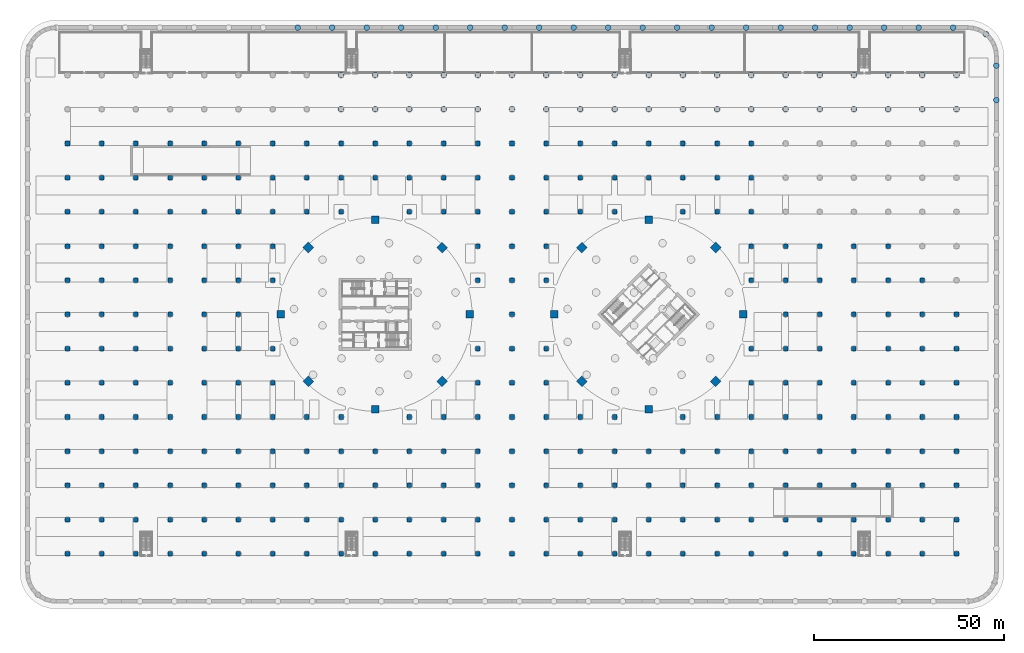
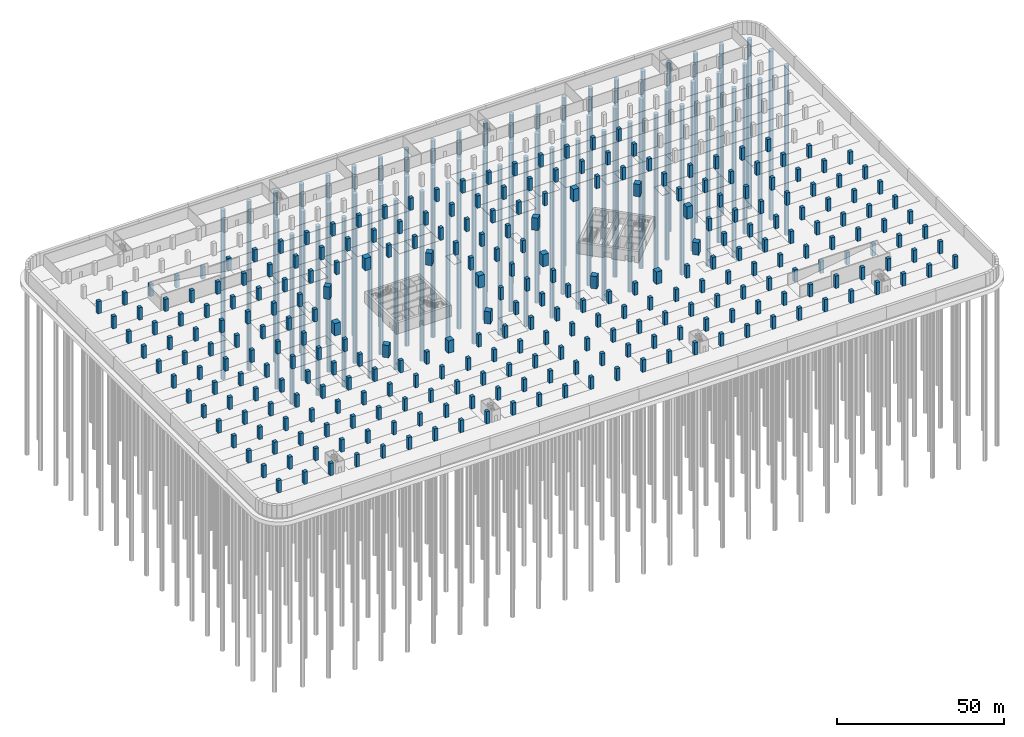
# One storey, part 5 of 39: 288 columns, 61 piles.
"""IFC4 building model written with IfcOpenShell, lengths in metres."""

from ifc_helpers import new_model, si_unit, direction, frame, origin, origin_2d, place, context, subcontext, project, spatial, rectangle, circle, extrude, material, material_profile, profile_set, type_object, element, save


model = new_model("IFC4")

# Units and contexts
model_context = context("Model", 3, precision=1e-05, world=origin(), true_north=direction((0.0, 1.0)))
body_context = subcontext(model_context, "Body", "Model", "MODEL_VIEW")
ifc_project = project(units=[si_unit("LENGTHUNIT", "METRE"), si_unit("AREAUNIT", "SQUARE_METRE"), si_unit("VOLUMEUNIT", "CUBIC_METRE"), si_unit("PLANEANGLEUNIT", "RADIAN"), si_unit("MASSUNIT", "GRAM", prefix="KILO")], contexts=[model_context])

# Site, building, storey
site_placement = place(None, origin())
site = spatial("IfcSite", under=ifc_project, at=site_placement, CompositionType="ELEMENT")
building_placement = place(site_placement, origin())
building = spatial("IfcBuilding", under=site, at=building_placement, Name="Ogive Gate Towers", CompositionType="ELEMENT")
storey_placement = place(building_placement, frame((0.0, 0.0, -9.0)))
storey = spatial("IfcBuildingStorey", under=building, at=storey_placement, Name="B2", CompositionType="ELEMENT", Elevation=-9.0)

# Piles
ifc_material_1 = material(Name="Concrete C40/50", Category="concrete")
ifc_material_profile_1 = material_profile(ifc_material_1, circle(Radius=0.75, at=origin_2d()), Name="BP 1500")
ifc_profile_set_1 = profile_set([ifc_material_profile_1], Name="Concrete C40/50")
pile_type = type_object("IfcPileType", Name="Bored pile 1500", PredefinedType="BORED", material=ifc_profile_set_1)
for number, where, z_axis, x_axis, name in (
    (1, (-45.0, 54.0, -1.800048828125), (0.0, 0.0, -1.0), (1.0, 0.0, 0.0), "BS/B2/SPL181"),
    (2, (-45.0, 63.0, -1.800048828125), (0.0, 0.0, -1.0), (1.0, 0.0, 0.0), "BS/B2/SPL182"),
    (3, (-36.0, 54.0, -1.800048828125), (0.0, 0.0, -1.0), (1.0, 0.0, 0.0), "BS/B2/SPL189"),
    (4, (-36.0, 63.0, -1.800048828125), (0.0, 0.0, -1.0), (1.0, 0.0, 0.0), "BS/B2/SPL190"),
    (5, (-27.0, 54.0, -1.800048828125), (0.0, 0.0, -1.0), (1.0, 0.0, 0.0), "BS/B2/SPL197"),
    (6, (-27.0, 63.0, -1.800048828125), (0.0, 0.0, -1.0), (1.0, 0.0, 0.0), "BS/B2/SPL198"),
    (7, (-18.0, 54.0, -1.800048828125), (0.0, 0.0, -1.0), (1.0, 0.0, 0.0), "BS/B2/SPL207"),
    (8, (-18.0, 63.0, -1.800048828125), (0.0, 0.0, -1.0), (1.0, 0.0, 0.0), "BS/B2/SPL208"),
    (9, (-9.0, 54.0, -1.800048828125), (0.0, 0.0, -1.0), (1.0, 0.0, 0.0), "BS/B2/SPL219"),
    (10, (-9.0, 63.0, -1.800048828125), (0.0, 0.0, -1.0), (1.0, 0.0, 0.0), "BS/B2/SPL220"),
    (11, (0.0, 54.0, -1.800048828125), (0.0, 0.0, -1.0), (1.0, 0.0, 0.0), "BS/B2/SPL234"),
    (12, (0.0, 63.0, -1.800048828125), (0.0, 0.0, -1.0), (1.0, 0.0, 0.0), "BS/B2/SPL235"),
    (13, (9.0, 54.0, -1.800048828125), (0.0, 0.0, -1.0), (1.0, 0.0, 0.0), "BS/B2/SPL246"),
    (14, (9.0, 63.0, -1.800048828125), (0.0, 0.0, -1.0), (1.0, 0.0, 0.0), "BS/B2/SPL247"),
    (15, (18.0, 54.0, -1.800048828125), (0.0, 0.0, -1.0), (1.0, 0.0, 0.0), "BS/B2/SPL256"),
    (16, (18.0, 63.0, -1.800048828125), (0.0, 0.0, -1.0), (1.0, 0.0, 0.0), "BS/B2/SPL257"),
    (17, (27.0, 54.0, -1.800048828125), (0.0, 0.0, -1.0), (1.0, 0.0, 0.0), "BS/B2/SPL264"),
    (18, (27.0, 63.0, -1.800048828125), (0.0, 0.0, -1.0), (1.0, 0.0, 0.0), "BS/B2/SPL265"),
    (19, (36.0, 54.0, -1.800048828125), (0.0, 0.0, -1.0), (1.0, 0.0, 0.0), "BS/B2/SPL272"),
    (20, (36.0, 63.0, -1.800048828125), (0.0, 0.0, -1.0), (1.0, 0.0, 0.0), "BS/B2/SPL273"),
    (21, (45.0, 54.0, -1.800048828125), (0.0, 0.0, -1.0), (1.0, 0.0, 0.0), "BS/B2/SPL280"),
    (22, (45.0, 63.0, -1.800048828125), (0.0, 0.0, -1.0), (1.0, 0.0, 0.0), "BS/B2/SPL281"),
    (23, (54.0, 54.0, -1.800048828125), (0.0, 0.0, -1.0), (1.0, 0.0, 0.0), "BS/B2/SPL290"),
    (24, (54.0, 63.0, -1.800048828125), (0.0, 0.0, -1.0), (1.0, 0.0, 0.0), "BS/B2/SPL291"),
    (25, (63.0, 54.0, -1.800048828125), (0.0, 0.0, -1.0), (1.0, 0.0, 0.0), "BS/B2/SPL302"),
    (26, (63.0, 63.0, -1.800048828125), (0.0, 0.0, -1.0), (1.0, 0.0, 0.0), "BS/B2/SPL303"),
    (27, (72.0, 54.0, -1.800048828125), (0.0, 0.0, -1.0), (1.0, 0.0, 0.0), "BS/B2/SPL317"),
    (28, (72.0, 63.0, -1.800048828125), (0.0, 0.0, -1.0), (1.0, 0.0, 0.0), "BS/B2/SPL318"),
    (29, (81.0, 54.0, -1.800048828125), (0.0, 0.0, -1.0), (1.0, 0.0, 0.0), "BS/B2/SPL332"),
    (30, (81.0, 63.0, -1.800048828125), (0.0, 0.0, -1.0), (1.0, 0.0, 0.0), "BS/B2/SPL333"),
    (31, (90.0, 54.0, -1.800048828125), (0.0, 0.0, -1.0), (1.0, 0.0, 0.0), "BS/B2/SPL347"),
    (32, (90.0, 63.0, -1.800048828125), (0.0, 0.0, -1.0), (1.0, 0.0, 0.0), "BS/B2/SPL348"),
    (33, (99.0, 54.0, -1.800048828125), (0.0, 0.0, -1.0), (1.0, 0.0, 0.0), "BS/B2/SPL362"),
    (34, (99.0, 63.0, -1.800048828125), (0.0, 0.0, -1.0), (1.0, 0.0, 0.0), "BS/B2/SPL363"),
    (35, (108.0, 54.0, -1.800048828125), (0.0, 0.0, -1.0), (1.0, 0.0, 0.0), "BS/B2/SPL377"),
    (36, (108.0, 63.0, -1.800048828125), (0.0, 0.0, -1.0), (1.0, 0.0, 0.0), "BS/B2/SPL378"),
    (37, (117.0, 54.0, -1.800048828125), (0.0, 0.0, -1.0), (1.0, 0.0, 0.0), "BS/B2/SPL392"),
    (38, (117.0, 63.0, -1.800048828125), (0.0, 0.0, -1.0), (1.0, 0.0, 0.0), "BS/B2/SPL393"),
    (39, (-56.416015625, 75.5, -1.800048828125), (0.0, 0.0, -1.0), (1.0, 0.0, 0.0), "BS/B2/SPL445"),
    (40, (-47.3359375, 75.5, -1.800048828125), (0.0, 0.0, -1.0), (1.0, 0.0, 0.0), "BS/B2/SPL446"),
    (41, (-38.256103515625, 75.5, -1.800048828125), (0.0, 0.0, -1.0), (1.0, 0.0, 0.0), "BS/B2/SPL447"),
    (42, (-29.176025390625, 75.5, -1.800048828125), (0.0, 0.0, -1.0), (1.0, 0.0, 0.0), "BS/B2/SPL448"),
    (43, (-20.095947265625, 75.5, -1.800048828125), (0.0, 0.0, -1.0), (1.0, 0.0, 0.0), "BS/B2/SPL449"),
    (44, (-11.01611328125, 75.5, -1.800048828125), (0.0, 0.0, -1.0), (1.0, 0.0, 0.0), "BS/B2/SPL450"),
    (45, (-1.93603515625, 75.5, -1.800048828125), (0.0, 0.0, -1.0), (1.0, 0.0, 0.0), "BS/B2/SPL451"),
    (46, (7.14404296875, 75.5, -1.800048828125), (0.0, 0.0, -1.0), (1.0, 0.0, 0.0), "BS/B2/SPL452"),
    (47, (16.22412109375, 75.5, -1.800048828125), (0.0, 0.0, -1.0), (1.0, 0.0, 0.0), "BS/B2/SPL453"),
    (48, (25.302978515625, 75.5, -1.800048828125), (0.0, 0.0, -1.0), (1.0, 0.0, 0.0), "BS/B2/SPL454"),
    (49, (34.383056640625, 75.5, -1.800048828125), (0.0, 0.0, -1.0), (1.0, 0.0, 0.0), "BS/B2/SPL455"),
    (50, (43.462890625, 75.5, -1.800048828125), (0.0, 0.0, -1.0), (1.0, 0.0, 0.0), "BS/B2/SPL456"),
    (51, (52.54296875, 75.5, -1.800048828125), (0.0, 0.0, -1.0), (1.0, 0.0, 0.0), "BS/B2/SPL457"),
    (52, (61.623046875, 75.5, -1.800048828125), (0.0, 0.0, -1.0), (1.0, 0.0, 0.0), "BS/B2/SPL458"),
    (53, (70.702880859375, 75.5, -1.800048828125), (0.0, 0.0, -1.0), (1.0, 0.0, 0.0), "BS/B2/SPL459"),
    (54, (79.782958984375, 75.5, -1.800048828125), (0.0, 0.0, -1.0), (1.0, 0.0, 0.0), "BS/B2/SPL460"),
    (55, (88.863037109375, 75.5, -1.800048828125), (0.0, 0.0, -1.0), (1.0, 0.0, 0.0), "BS/B2/SPL461"),
    (56, (97.943115234375, 75.5, -1.800048828125), (0.0, 0.0, -1.0), (1.0, 0.0, 0.0), "BS/B2/SPL462"),
    (57, (107.02294921875, 75.5, -1.800048828125), (0.0, 0.0, -1.0), (1.0, 0.0, 0.0), "BS/B2/SPL463"),
    (58, (116.10302734375, 75.5, -1.800048828125), (0.0, 0.0, -1.0), (1.0, 0.0, 0.0), "BS/B2/SPL464"),
    (59, (124.762939453125, 73.742919921875, -1.800048828125), (0.0, 0.0, -1.0), (1.0, 0.0, 0.0), "BS/B2/SPL465"),
    (60, (127.5, 65.49609375, -1.800048828125), (0.0, 0.0, -1.0), (1.0, 0.0, 0.0), "BS/B2/SPL466"),
    (61, (127.5, 56.416015625, -1.800048828125), (0.0, 0.0, -1.0), (1.0, 0.0, 0.0), "BS/B2/SPL467"),
):
    element("IfcPile", number, at=place(storey_placement, frame(where, z_axis=z_axis, x_axis=x_axis)), inside=storey, type_object=pile_type, Name=name, PredefinedType="BORED", context=body_context, shape_type="SweptSolid", body=[
        extrude(circle(Radius=0.75, at=origin_2d()), origin(), (0.0, 0.0, 1.0), 62.0),
    ])

# Columns
ifc_material_2 = material(Name="Concrete C50/60", Category="concrete")
ifc_material_profile_2 = material_profile(ifc_material_2, rectangle(XDim=1.199951171875, YDim=1.199951171875, at=origin_2d()), Name="RC 1200x1200")
ifc_profile_set_2 = profile_set([ifc_material_profile_2], Name="Concrete C50/60")
column_type_1 = type_object("IfcColumnType", Name="Column RC 1200x1200", PredefinedType="COLUMN", material=ifc_profile_set_2)
for number, where, z_axis, x_axis, name in (
    (62, (-117.0, -63.0, 0.0), (0.0, 0.0, 1.0), (1.0, 0.0, 0.0), "BS/B2/SCL001"),
    (63, (-117.0, -54.0, 0.0), (0.0, 0.0, 1.0), (1.0, 0.0, 0.0), "BS/B2/SCL002"),
    (64, (-117.0, -45.0, 0.0), (0.0, 0.0, 1.0), (1.0, 0.0, 0.0), "BS/B2/SCL003"),
    (65, (-117.0, -36.0, 0.0), (0.0, 0.0, 1.0), (1.0, 0.0, 0.0), "BS/B2/SCL004"),
    (66, (-117.0, -27.0, 0.0), (0.0, 0.0, 1.0), (1.0, 0.0, 0.0), "BS/B2/SCL005"),
    (67, (-117.0, -18.0, 0.0), (0.0, 0.0, 1.0), (1.0, 0.0, 0.0), "BS/B2/SCL006"),
    (68, (-117.0, -9.0, 0.0), (0.0, 0.0, 1.0), (1.0, 0.0, 0.0), "BS/B2/SCL007"),
    (69, (-117.0, 0.0, 0.0), (0.0, 0.0, 1.0), (1.0, 0.0, 0.0), "BS/B2/SCL008"),
    (70, (-117.0, 9.0, 0.0), (0.0, 0.0, 1.0), (1.0, 0.0, 0.0), "BS/B2/SCL009"),
    (71, (-117.0, 18.0, 0.0), (0.0, 0.0, 1.0), (1.0, 0.0, 0.0), "BS/B2/SCL010"),
    (72, (-117.0, 27.0, 0.0), (0.0, 0.0, 1.0), (1.0, 0.0, 0.0), "BS/B2/SCL011"),
    (73, (-117.0, 36.0, 0.0), (0.0, 0.0, 1.0), (1.0, 0.0, 0.0), "BS/B2/SCL012"),
    (74, (-117.0, 45.0, 0.0), (0.0, 0.0, 1.0), (1.0, 0.0, 0.0), "BS/B2/SCL013"),
    (75, (-108.0, -63.0, 0.0), (0.0, 0.0, 1.0), (1.0, 0.0, 0.0), "BS/B2/SCL016"),
    (76, (-108.0, -54.0, 0.0), (0.0, 0.0, 1.0), (1.0, 0.0, 0.0), "BS/B2/SCL017"),
    (77, (-108.0, -45.0, 0.0), (0.0, 0.0, 1.0), (1.0, 0.0, 0.0), "BS/B2/SCL018"),
    (78, (-108.0, -36.0, 0.0), (0.0, 0.0, 1.0), (1.0, 0.0, 0.0), "BS/B2/SCL019"),
    (79, (-108.0, -27.0, 0.0), (0.0, 0.0, 1.0), (1.0, 0.0, 0.0), "BS/B2/SCL020"),
    (80, (-108.0, -18.0, 0.0), (0.0, 0.0, 1.0), (1.0, 0.0, 0.0), "BS/B2/SCL021"),
    (81, (-108.0, -9.0, 0.0), (0.0, 0.0, 1.0), (1.0, 0.0, 0.0), "BS/B2/SCL022"),
    (82, (-108.0, 0.0, 0.0), (0.0, 0.0, 1.0), (1.0, 0.0, 0.0), "BS/B2/SCL023"),
    (83, (-108.0, 9.0, 0.0), (0.0, 0.0, 1.0), (1.0, 0.0, 0.0), "BS/B2/SCL024"),
    (84, (-108.0, 18.0, 0.0), (0.0, 0.0, 1.0), (1.0, 0.0, 0.0), "BS/B2/SCL025"),
    (85, (-108.0, 27.0, 0.0), (0.0, 0.0, 1.0), (1.0, 0.0, 0.0), "BS/B2/SCL026"),
    (86, (-108.0, 36.0, 0.0), (0.0, 0.0, 1.0), (1.0, 0.0, 0.0), "BS/B2/SCL027"),
    (87, (-108.0, 45.0, 0.0), (0.0, 0.0, 1.0), (1.0, 0.0, 0.0), "BS/B2/SCL028"),
    (88, (-99.0, -63.0, 0.0), (0.0, 0.0, 1.0), (1.0, 0.0, 0.0), "BS/B2/SCL031"),
    (89, (-99.0, -54.0, 0.0), (0.0, 0.0, 1.0), (1.0, 0.0, 0.0), "BS/B2/SCL032"),
    (90, (-99.0, -45.0, 0.0), (0.0, 0.0, 1.0), (1.0, 0.0, 0.0), "BS/B2/SCL033"),
    (91, (-99.0, -36.0, 0.0), (0.0, 0.0, 1.0), (1.0, 0.0, 0.0), "BS/B2/SCL034"),
    (92, (-99.0, -27.0, 0.0), (0.0, 0.0, 1.0), (1.0, 0.0, 0.0), "BS/B2/SCL035"),
    (93, (-99.0, -18.0, 0.0), (0.0, 0.0, 1.0), (1.0, 0.0, 0.0), "BS/B2/SCL036"),
    (94, (-99.0, -9.0, 0.0), (0.0, 0.0, 1.0), (1.0, 0.0, 0.0), "BS/B2/SCL037"),
    (95, (-99.0, 0.0, 0.0), (0.0, 0.0, 1.0), (1.0, 0.0, 0.0), "BS/B2/SCL038"),
    (96, (-99.0, 9.0, 0.0), (0.0, 0.0, 1.0), (1.0, 0.0, 0.0), "BS/B2/SCL039"),
    (97, (-99.0, 18.0, 0.0), (0.0, 0.0, 1.0), (1.0, 0.0, 0.0), "BS/B2/SCL040"),
    (98, (-99.0, 27.0, 0.0), (0.0, 0.0, 1.0), (1.0, 0.0, 0.0), "BS/B2/SCL041"),
    (99, (-99.0, 36.0, 0.0), (0.0, 0.0, 1.0), (1.0, 0.0, 0.0), "BS/B2/SCL042"),
    (100, (-99.0, 45.0, 0.0), (0.0, 0.0, 1.0), (1.0, 0.0, 0.0), "BS/B2/SCL043"),
    (101, (-90.0, -63.0, 0.0), (0.0, 0.0, 1.0), (1.0, 0.0, 0.0), "BS/B2/SCL046"),
    (102, (-90.0, -54.0, 0.0), (0.0, 0.0, 1.0), (1.0, 0.0, 0.0), "BS/B2/SCL047"),
    (103, (-90.0, -45.0, 0.0), (0.0, 0.0, 1.0), (1.0, 0.0, 0.0), "BS/B2/SCL048"),
    (104, (-90.0, -36.0, 0.0), (0.0, 0.0, 1.0), (1.0, 0.0, 0.0), "BS/B2/SCL049"),
    (105, (-90.0, -27.0, 0.0), (0.0, 0.0, 1.0), (1.0, 0.0, 0.0), "BS/B2/SCL050"),
    (106, (-90.0, -18.0, 0.0), (0.0, 0.0, 1.0), (1.0, 0.0, 0.0), "BS/B2/SCL051"),
    (107, (-90.0, -9.0, 0.0), (0.0, 0.0, 1.0), (1.0, 0.0, 0.0), "BS/B2/SCL052"),
    (108, (-90.0, 0.0, 0.0), (0.0, 0.0, 1.0), (1.0, 0.0, 0.0), "BS/B2/SCL053"),
    (109, (-90.0, 9.0, 0.0), (0.0, 0.0, 1.0), (1.0, 0.0, 0.0), "BS/B2/SCL054"),
    (110, (-90.0, 18.0, 0.0), (0.0, 0.0, 1.0), (1.0, 0.0, 0.0), "BS/B2/SCL055"),
    (111, (-90.0, 27.0, 0.0), (0.0, 0.0, 1.0), (1.0, 0.0, 0.0), "BS/B2/SCL056"),
    (112, (-90.0, 36.0, 0.0), (0.0, 0.0, 1.0), (1.0, 0.0, 0.0), "BS/B2/SCL057"),
    (113, (-90.0, 45.0, 0.0), (0.0, 0.0, 1.0), (1.0, 0.0, 0.0), "BS/B2/SCL058"),
    (114, (-81.0, -63.0, 0.0), (0.0, 0.0, 1.0), (1.0, 0.0, 0.0), "BS/B2/SCL061"),
    (115, (-81.0, -54.0, 0.0), (0.0, 0.0, 1.0), (1.0, 0.0, 0.0), "BS/B2/SCL062"),
    (116, (-81.0, -45.0, 0.0), (0.0, 0.0, 1.0), (1.0, 0.0, 0.0), "BS/B2/SCL063"),
    (117, (-81.0, -36.0, 0.0), (0.0, 0.0, 1.0), (1.0, 0.0, 0.0), "BS/B2/SCL064"),
    (118, (-81.0, -27.0, 0.0), (0.0, 0.0, 1.0), (1.0, 0.0, 0.0), "BS/B2/SCL065"),
    (119, (-81.0, -18.0, 0.0), (0.0, 0.0, 1.0), (1.0, 0.0, 0.0), "BS/B2/SCL066"),
    (120, (-81.0, -9.0, 0.0), (0.0, 0.0, 1.0), (1.0, 0.0, 0.0), "BS/B2/SCL067"),
    (121, (-81.0, 0.0, 0.0), (0.0, 0.0, 1.0), (1.0, 0.0, 0.0), "BS/B2/SCL068"),
    (122, (-81.0, 9.0, 0.0), (0.0, 0.0, 1.0), (1.0, 0.0, 0.0), "BS/B2/SCL069"),
    (123, (-81.0, 18.0, 0.0), (0.0, 0.0, 1.0), (1.0, 0.0, 0.0), "BS/B2/SCL070"),
    (124, (-81.0, 27.0, 0.0), (0.0, 0.0, 1.0), (1.0, 0.0, 0.0), "BS/B2/SCL071"),
    (125, (-81.0, 36.0, 0.0), (0.0, 0.0, 1.0), (1.0, 0.0, 0.0), "BS/B2/SCL072"),
    (126, (-81.0, 45.0, 0.0), (0.0, 0.0, 1.0), (1.0, 0.0, 0.0), "BS/B2/SCL073"),
    (127, (-72.0, -63.0, 0.0), (0.0, 0.0, 1.0), (1.0, 0.0, 0.0), "BS/B2/SCL076"),
    (128, (-72.0, -54.0, 0.0), (0.0, 0.0, 1.0), (1.0, 0.0, 0.0), "BS/B2/SCL077"),
    (129, (-72.0, -45.0, 0.0), (0.0, 0.0, 1.0), (1.0, 0.0, 0.0), "BS/B2/SCL078"),
    (130, (-72.0, -36.0, 0.0), (0.0, 0.0, 1.0), (1.0, 0.0, 0.0), "BS/B2/SCL079"),
    (131, (-72.0, -27.0, 0.0), (0.0, 0.0, 1.0), (1.0, 0.0, 0.0), "BS/B2/SCL080"),
    (132, (-72.0, -18.0, 0.0), (0.0, 0.0, 1.0), (1.0, 0.0, 0.0), "BS/B2/SCL081"),
    (133, (-72.0, -9.0, 0.0), (0.0, 0.0, 1.0), (1.0, 0.0, 0.0), "BS/B2/SCL082"),
    (134, (-72.0, 0.0, 0.0), (0.0, 0.0, 1.0), (1.0, 0.0, 0.0), "BS/B2/SCL083"),
    (135, (-72.0, 9.0, 0.0), (0.0, 0.0, 1.0), (1.0, 0.0, 0.0), "BS/B2/SCL084"),
    (136, (-72.0, 18.0, 0.0), (0.0, 0.0, 1.0), (1.0, 0.0, 0.0), "BS/B2/SCL085"),
    (137, (-72.0, 27.0, 0.0), (0.0, 0.0, 1.0), (1.0, 0.0, 0.0), "BS/B2/SCL086"),
    (138, (-72.0, 36.0, 0.0), (0.0, 0.0, 1.0), (1.0, 0.0, 0.0), "BS/B2/SCL087"),
    (139, (-72.0, 45.0, 0.0), (0.0, 0.0, 1.0), (1.0, 0.0, 0.0), "BS/B2/SCL088"),
    (140, (-63.0, -63.0, 0.0), (0.0, 0.0, 1.0), (1.0, 0.0, 0.0), "BS/B2/SCL091"),
    (141, (-63.0, -54.0, 0.0), (0.0, 0.0, 1.0), (1.0, 0.0, 0.0), "BS/B2/SCL092"),
    (142, (-63.0, -45.0, 0.0), (0.0, 0.0, 1.0), (1.0, 0.0, 0.0), "BS/B2/SCL093"),
    (143, (-63.0, -36.0, 0.0), (0.0, 0.0, 1.0), (1.0, 0.0, 0.0), "BS/B2/SCL094"),
    (144, (-63.0, -27.0, 0.0), (0.0, 0.0, 1.0), (1.0, 0.0, 0.0), "BS/B2/SCL095"),
    (145, (-63.0, -18.0, 0.0), (0.0, 0.0, 1.0), (1.0, 0.0, 0.0), "BS/B2/SCL096"),
    (146, (-63.0, -9.0, 0.0), (0.0, 0.0, 1.0), (1.0, 0.0, 0.0), "BS/B2/SCL097"),
    (147, (-63.0, 9.0, 0.0), (0.0, 0.0, 1.0), (1.0, 0.0, 0.0), "BS/B2/SCL098"),
    (148, (-63.0, 18.0, 0.0), (0.0, 0.0, 1.0), (1.0, 0.0, 0.0), "BS/B2/SCL099"),
    (149, (-63.0, 27.0, 0.0), (0.0, 0.0, 1.0), (1.0, 0.0, 0.0), "BS/B2/SCL100"),
    (150, (-63.0, 36.0, 0.0), (0.0, 0.0, 1.0), (1.0, 0.0, 0.0), "BS/B2/SCL101"),
    (151, (-63.0, 45.0, 0.0), (0.0, 0.0, 1.0), (1.0, 0.0, 0.0), "BS/B2/SCL102"),
    (152, (-54.0, -63.0, 0.0), (0.0, 0.0, 1.0), (1.0, 0.0, 0.0), "BS/B2/SCL105"),
    (153, (-54.0, -54.0, 0.0), (0.0, 0.0, 1.0), (1.0, 0.0, 0.0), "BS/B2/SCL106"),
    (154, (-54.0, -45.0, 0.0), (0.0, 0.0, 1.0), (1.0, 0.0, 0.0), "BS/B2/SCL107"),
    (155, (-54.0, -36.0, 0.0), (0.0, 0.0, 1.0), (1.0, 0.0, 0.0), "BS/B2/SCL108"),
    (156, (-54.0, -27.0, 0.0), (0.0, 0.0, 1.0), (1.0, 0.0, 0.0), "BS/B2/SCL109"),
    (157, (-54.0, 27.0, 0.0), (0.0, 0.0, 1.0), (1.0, 0.0, 0.0), "BS/B2/SCL110"),
    (158, (-54.0, 36.0, 0.0), (0.0, 0.0, 1.0), (1.0, 0.0, 0.0), "BS/B2/SCL111"),
    (159, (-54.0, 45.0, 0.0), (0.0, 0.0, 1.0), (1.0, 0.0, 0.0), "BS/B2/SCL112"),
    (160, (-45.0, -63.0, 0.0), (0.0, 0.0, 1.0), (1.0, 0.0, 0.0), "BS/B2/SCL115"),
    (161, (-45.0, -54.0, 0.0), (0.0, 0.0, 1.0), (1.0, 0.0, 0.0), "BS/B2/SCL116"),
    (162, (-45.0, -45.0, 0.0), (0.0, 0.0, 1.0), (1.0, 0.0, 0.0), "BS/B2/SCL117"),
    (163, (-45.0, -36.0, 0.0), (0.0, 0.0, 1.0), (1.0, 0.0, 0.0), "BS/B2/SCL118"),
    (164, (-45.0, -27.0, 0.0), (0.0, 0.0, 1.0), (1.0, 0.0, 0.0), "BS/B2/SCL119"),
    (165, (-45.0, 27.0, 0.0), (0.0, 0.0, 1.0), (1.0, 0.0, 0.0), "BS/B2/SCL120"),
    (166, (-45.0, 36.0, 0.0), (0.0, 0.0, 1.0), (1.0, 0.0, 0.0), "BS/B2/SCL121"),
    (167, (-45.0, 45.0, 0.0), (0.0, 0.0, 1.0), (1.0, 0.0, 0.0), "BS/B2/SCL122"),
    (168, (-36.0, -63.0, 0.0), (0.0, 0.0, 1.0), (1.0, 0.0, 0.0), "BS/B2/SCL125"),
    (169, (-36.0, -54.0, 0.0), (0.0, 0.0, 1.0), (1.0, 0.0, 0.0), "BS/B2/SCL126"),
    (170, (-36.0, -45.0, 0.0), (0.0, 0.0, 1.0), (1.0, 0.0, 0.0), "BS/B2/SCL127"),
    (171, (-36.0, -36.0, 0.0), (0.0, 0.0, 1.0), (1.0, 0.0, 0.0), "BS/B2/SCL128"),
    (172, (-36.0, 36.0, 0.0), (0.0, 0.0, 1.0), (1.0, 0.0, 0.0), "BS/B2/SCL129"),
    (173, (-36.0, 45.0, 0.0), (0.0, 0.0, 1.0), (1.0, 0.0, 0.0), "BS/B2/SCL130"),
    (174, (-27.0, -63.0, 0.0), (0.0, 0.0, 1.0), (1.0, 0.0, 0.0), "BS/B2/SCL133"),
    (175, (-27.0, -54.0, 0.0), (0.0, 0.0, 1.0), (1.0, 0.0, 0.0), "BS/B2/SCL134"),
    (176, (-27.0, -45.0, 0.0), (0.0, 0.0, 1.0), (1.0, 0.0, 0.0), "BS/B2/SCL135"),
    (177, (-27.0, -36.0, 0.0), (0.0, 0.0, 1.0), (1.0, 0.0, 0.0), "BS/B2/SCL136"),
    (178, (-27.0, -27.0, 0.0), (0.0, 0.0, 1.0), (1.0, 0.0, 0.0), "BS/B2/SCL137"),
    (179, (-27.0, 27.0, 0.0), (0.0, 0.0, 1.0), (1.0, 0.0, 0.0), "BS/B2/SCL138"),
    (180, (-27.0, 36.0, 0.0), (0.0, 0.0, 1.0), (1.0, 0.0, 0.0), "BS/B2/SCL139"),
    (181, (-27.0, 45.0, 0.0), (0.0, 0.0, 1.0), (1.0, 0.0, 0.0), "BS/B2/SCL140"),
    (182, (-18.0, -63.0, 0.0), (0.0, 0.0, 1.0), (1.0, 0.0, 0.0), "BS/B2/SCL143"),
    (183, (-18.0, -54.0, 0.0), (0.0, 0.0, 1.0), (1.0, 0.0, 0.0), "BS/B2/SCL144"),
    (184, (-18.0, -45.0, 0.0), (0.0, 0.0, 1.0), (1.0, 0.0, 0.0), "BS/B2/SCL145"),
    (185, (-18.0, -36.0, 0.0), (0.0, 0.0, 1.0), (1.0, 0.0, 0.0), "BS/B2/SCL146"),
    (186, (-18.0, -27.0, 0.0), (0.0, 0.0, 1.0), (1.0, 0.0, 0.0), "BS/B2/SCL147"),
    (187, (-18.0, 27.0, 0.0), (0.0, 0.0, 1.0), (1.0, 0.0, 0.0), "BS/B2/SCL148"),
    (188, (-18.0, 36.0, 0.0), (0.0, 0.0, 1.0), (1.0, 0.0, 0.0), "BS/B2/SCL149"),
    (189, (-18.0, 45.0, 0.0), (0.0, 0.0, 1.0), (1.0, 0.0, 0.0), "BS/B2/SCL150"),
    (190, (-9.0, -63.0, 0.0), (0.0, 0.0, 1.0), (1.0, 0.0, 0.0), "BS/B2/SCL153"),
    (191, (-9.0, -54.0, 0.0), (0.0, 0.0, 1.0), (1.0, 0.0, 0.0), "BS/B2/SCL154"),
    (192, (-9.0, -45.0, 0.0), (0.0, 0.0, 1.0), (1.0, 0.0, 0.0), "BS/B2/SCL155"),
    (193, (-9.0, -36.0, 0.0), (0.0, 0.0, 1.0), (1.0, 0.0, 0.0), "BS/B2/SCL156"),
    (194, (-9.0, -27.0, 0.0), (0.0, 0.0, 1.0), (1.0, 0.0, 0.0), "BS/B2/SCL157"),
    (195, (-9.0, -18.0, 0.0), (0.0, 0.0, 1.0), (1.0, 0.0, 0.0), "BS/B2/SCL158"),
    (196, (-9.0, -9.0, 0.0), (0.0, 0.0, 1.0), (1.0, 0.0, 0.0), "BS/B2/SCL159"),
    (197, (-9.0, 9.0, 0.0), (0.0, 0.0, 1.0), (1.0, 0.0, 0.0), "BS/B2/SCL160"),
    (198, (-9.0, 18.0, 0.0), (0.0, 0.0, 1.0), (1.0, 0.0, 0.0), "BS/B2/SCL161"),
    (199, (-9.0, 27.0, 0.0), (0.0, 0.0, 1.0), (1.0, 0.0, 0.0), "BS/B2/SCL162"),
    (200, (-9.0, 36.0, 0.0), (0.0, 0.0, 1.0), (1.0, 0.0, 0.0), "BS/B2/SCL163"),
    (201, (-9.0, 45.0, 0.0), (0.0, 0.0, 1.0), (1.0, 0.0, 0.0), "BS/B2/SCL164"),
    (202, (0.0, -63.0, 0.0), (0.0, 0.0, 1.0), (1.0, 0.0, 0.0), "BS/B2/SCL167"),
    (203, (0.0, -54.0, 0.0), (0.0, 0.0, 1.0), (1.0, 0.0, 0.0), "BS/B2/SCL168"),
    (204, (0.0, -45.0, 0.0), (0.0, 0.0, 1.0), (1.0, 0.0, 0.0), "BS/B2/SCL169"),
    (205, (0.0, -36.0, 0.0), (0.0, 0.0, 1.0), (1.0, 0.0, 0.0), "BS/B2/SCL170"),
    (206, (0.0, -27.0, 0.0), (0.0, 0.0, 1.0), (1.0, 0.0, 0.0), "BS/B2/SCL171"),
    (207, (0.0, -18.0, 0.0), (0.0, 0.0, 1.0), (1.0, 0.0, 0.0), "BS/B2/SCL172"),
    (208, (0.0, -9.0, 0.0), (0.0, 0.0, 1.0), (1.0, 0.0, 0.0), "BS/B2/SCL173"),
    (209, (0.0, 0.0, 0.0), (0.0, 0.0, 1.0), (1.0, 0.0, 0.0), "BS/B2/SCL174"),
    (210, (0.0, 9.0, 0.0), (0.0, 0.0, 1.0), (1.0, 0.0, 0.0), "BS/B2/SCL175"),
    (211, (0.0, 18.0, 0.0), (0.0, 0.0, 1.0), (1.0, 0.0, 0.0), "BS/B2/SCL176"),
    (212, (0.0, 27.0, 0.0), (0.0, 0.0, 1.0), (1.0, 0.0, 0.0), "BS/B2/SCL177"),
    (213, (0.0, 36.0, 0.0), (0.0, 0.0, 1.0), (1.0, 0.0, 0.0), "BS/B2/SCL178"),
    (214, (0.0, 45.0, 0.0), (0.0, 0.0, 1.0), (1.0, 0.0, 0.0), "BS/B2/SCL179"),
    (215, (9.0, -63.0, 0.0), (0.0, 0.0, 1.0), (1.0, 0.0, 0.0), "BS/B2/SCL182"),
    (216, (9.0, -54.0, 0.0), (0.0, 0.0, 1.0), (1.0, 0.0, 0.0), "BS/B2/SCL183"),
    (217, (9.0, -45.0, 0.0), (0.0, 0.0, 1.0), (1.0, 0.0, 0.0), "BS/B2/SCL184"),
    (218, (9.0, -36.0, 0.0), (0.0, 0.0, 1.0), (1.0, 0.0, 0.0), "BS/B2/SCL185"),
    (219, (9.0, -27.0, 0.0), (0.0, 0.0, 1.0), (1.0, 0.0, 0.0), "BS/B2/SCL186"),
    (220, (9.0, -18.0, 0.0), (0.0, 0.0, 1.0), (1.0, 0.0, 0.0), "BS/B2/SCL187"),
    (221, (9.0, -9.0, 0.0), (0.0, 0.0, 1.0), (1.0, 0.0, 0.0), "BS/B2/SCL188"),
    (222, (9.0, 9.0, 0.0), (0.0, 0.0, 1.0), (1.0, 0.0, 0.0), "BS/B2/SCL189"),
    (223, (9.0, 18.0, 0.0), (0.0, 0.0, 1.0), (1.0, 0.0, 0.0), "BS/B2/SCL190"),
    (224, (9.0, 27.0, 0.0), (0.0, 0.0, 1.0), (1.0, 0.0, 0.0), "BS/B2/SCL191"),
    (225, (9.0, 36.0, 0.0), (0.0, 0.0, 1.0), (1.0, 0.0, 0.0), "BS/B2/SCL192"),
    (226, (9.0, 45.0, 0.0), (0.0, 0.0, 1.0), (1.0, 0.0, 0.0), "BS/B2/SCL193"),
    (227, (18.0, -63.0, 0.0), (0.0, 0.0, 1.0), (1.0, 0.0, 0.0), "BS/B2/SCL196"),
    (228, (18.0, -54.0, 0.0), (0.0, 0.0, 1.0), (1.0, 0.0, 0.0), "BS/B2/SCL197"),
    (229, (18.0, -45.0, 0.0), (0.0, 0.0, 1.0), (1.0, 0.0, 0.0), "BS/B2/SCL198"),
    (230, (18.0, -36.0, 0.0), (0.0, 0.0, 1.0), (1.0, 0.0, 0.0), "BS/B2/SCL199"),
    (231, (18.0, -27.0, 0.0), (0.0, 0.0, 1.0), (1.0, 0.0, 0.0), "BS/B2/SCL200"),
    (232, (18.0, 27.0, 0.0), (0.0, 0.0, 1.0), (1.0, 0.0, 0.0), "BS/B2/SCL201"),
    (233, (18.0, 36.0, 0.0), (0.0, 0.0, 1.0), (1.0, 0.0, 0.0), "BS/B2/SCL202"),
    (234, (18.0, 45.0, 0.0), (0.0, 0.0, 1.0), (1.0, 0.0, 0.0), "BS/B2/SCL203"),
    (235, (27.0, -63.0, 0.0), (0.0, 0.0, 1.0), (1.0, 0.0, 0.0), "BS/B2/SCL206"),
    (236, (27.0, -54.0, 0.0), (0.0, 0.0, 1.0), (1.0, 0.0, 0.0), "BS/B2/SCL207"),
    (237, (27.0, -45.0, 0.0), (0.0, 0.0, 1.0), (1.0, 0.0, 0.0), "BS/B2/SCL208"),
    (238, (27.0, -36.0, 0.0), (0.0, 0.0, 1.0), (1.0, 0.0, 0.0), "BS/B2/SCL209"),
    (239, (27.0, -27.0, 0.0), (0.0, 0.0, 1.0), (1.0, 0.0, 0.0), "BS/B2/SCL210"),
    (240, (27.0, 27.0, 0.0), (0.0, 0.0, 1.0), (1.0, 0.0, 0.0), "BS/B2/SCL211"),
    (241, (27.0, 36.0, 0.0), (0.0, 0.0, 1.0), (1.0, 0.0, 0.0), "BS/B2/SCL212"),
    (242, (27.0, 45.0, 0.0), (0.0, 0.0, 1.0), (1.0, 0.0, 0.0), "BS/B2/SCL213"),
    (243, (36.0, -63.0, 0.0), (0.0, 0.0, 1.0), (1.0, 0.0, 0.0), "BS/B2/SCL216"),
    (244, (36.0, -54.0, 0.0), (0.0, 0.0, 1.0), (1.0, 0.0, 0.0), "BS/B2/SCL217"),
    (245, (36.0, -45.0, 0.0), (0.0, 0.0, 1.0), (1.0, 0.0, 0.0), "BS/B2/SCL218"),
    (246, (36.0, -36.0, 0.0), (0.0, 0.0, 1.0), (1.0, 0.0, 0.0), "BS/B2/SCL219"),
    (247, (36.0, 36.0, 0.0), (0.0, 0.0, 1.0), (1.0, 0.0, 0.0), "BS/B2/SCL220"),
    (248, (36.0, 45.0, 0.0), (0.0, 0.0, 1.0), (1.0, 0.0, 0.0), "BS/B2/SCL221"),
    (249, (45.0, -63.0, 0.0), (0.0, 0.0, 1.0), (1.0, 0.0, 0.0), "BS/B2/SCL224"),
    (250, (45.0, -54.0, 0.0), (0.0, 0.0, 1.0), (1.0, 0.0, 0.0), "BS/B2/SCL225"),
    (251, (45.0, -45.0, 0.0), (0.0, 0.0, 1.0), (1.0, 0.0, 0.0), "BS/B2/SCL226"),
    (252, (45.0, -36.0, 0.0), (0.0, 0.0, 1.0), (1.0, 0.0, 0.0), "BS/B2/SCL227"),
    (253, (45.0, -27.0, 0.0), (0.0, 0.0, 1.0), (1.0, 0.0, 0.0), "BS/B2/SCL228"),
    (254, (45.0, 27.0, 0.0), (0.0, 0.0, 1.0), (1.0, 0.0, 0.0), "BS/B2/SCL229"),
    (255, (45.0, 36.0, 0.0), (0.0, 0.0, 1.0), (1.0, 0.0, 0.0), "BS/B2/SCL230"),
    (256, (45.0, 45.0, 0.0), (0.0, 0.0, 1.0), (1.0, 0.0, 0.0), "BS/B2/SCL231"),
    (257, (54.0, -63.0, 0.0), (0.0, 0.0, 1.0), (1.0, 0.0, 0.0), "BS/B2/SCL234"),
    (258, (54.0, -54.0, 0.0), (0.0, 0.0, 1.0), (1.0, 0.0, 0.0), "BS/B2/SCL235"),
    (259, (54.0, -45.0, 0.0), (0.0, 0.0, 1.0), (1.0, 0.0, 0.0), "BS/B2/SCL236"),
    (260, (54.0, -36.0, 0.0), (0.0, 0.0, 1.0), (1.0, 0.0, 0.0), "BS/B2/SCL237"),
    (261, (54.0, -27.0, 0.0), (0.0, 0.0, 1.0), (1.0, 0.0, 0.0), "BS/B2/SCL238"),
    (262, (54.0, 27.0, 0.0), (0.0, 0.0, 1.0), (1.0, 0.0, 0.0), "BS/B2/SCL239"),
    (263, (54.0, 36.0, 0.0), (0.0, 0.0, 1.0), (1.0, 0.0, 0.0), "BS/B2/SCL240"),
    (264, (54.0, 45.0, 0.0), (0.0, 0.0, 1.0), (1.0, 0.0, 0.0), "BS/B2/SCL241"),
    (265, (63.0, -63.0, 0.0), (0.0, 0.0, 1.0), (1.0, 0.0, 0.0), "BS/B2/SCL244"),
    (266, (63.0, -54.0, 0.0), (0.0, 0.0, 1.0), (1.0, 0.0, 0.0), "BS/B2/SCL245"),
    (267, (63.0, -45.0, 0.0), (0.0, 0.0, 1.0), (1.0, 0.0, 0.0), "BS/B2/SCL246"),
    (268, (63.0, -36.0, 0.0), (0.0, 0.0, 1.0), (1.0, 0.0, 0.0), "BS/B2/SCL247"),
    (269, (63.0, -27.0, 0.0), (0.0, 0.0, 1.0), (1.0, 0.0, 0.0), "BS/B2/SCL248"),
    (270, (63.0, -18.0, 0.0), (0.0, 0.0, 1.0), (1.0, 0.0, 0.0), "BS/B2/SCL249"),
    (271, (63.0, -9.0, 0.0), (0.0, 0.0, 1.0), (1.0, 0.0, 0.0), "BS/B2/SCL250"),
    (272, (63.0, 9.0, 0.0), (0.0, 0.0, 1.0), (1.0, 0.0, 0.0), "BS/B2/SCL251"),
    (273, (63.0, 18.0, 0.0), (0.0, 0.0, 1.0), (1.0, 0.0, 0.0), "BS/B2/SCL252"),
    (274, (63.0, 27.0, 0.0), (0.0, 0.0, 1.0), (1.0, 0.0, 0.0), "BS/B2/SCL253"),
    (275, (63.0, 36.0, 0.0), (0.0, 0.0, 1.0), (1.0, 0.0, 0.0), "BS/B2/SCL254"),
    (276, (63.0, 45.0, 0.0), (0.0, 0.0, 1.0), (1.0, 0.0, 0.0), "BS/B2/SCL255"),
    (277, (72.0, -63.0, 0.0), (0.0, 0.0, 1.0), (1.0, 0.0, 0.0), "BS/B2/SCL258"),
    (278, (72.0, -54.0, 0.0), (0.0, 0.0, 1.0), (1.0, 0.0, 0.0), "BS/B2/SCL259"),
    (279, (72.0, -45.0, 0.0), (0.0, 0.0, 1.0), (1.0, 0.0, 0.0), "BS/B2/SCL260"),
    (280, (72.0, -36.0, 0.0), (0.0, 0.0, 1.0), (1.0, 0.0, 0.0), "BS/B2/SCL261"),
    (281, (72.0, -27.0, 0.0), (0.0, 0.0, 1.0), (1.0, 0.0, 0.0), "BS/B2/SCL262"),
    (282, (72.0, -18.0, 0.0), (0.0, 0.0, 1.0), (1.0, 0.0, 0.0), "BS/B2/SCL263"),
    (283, (72.0, -9.0, 0.0), (0.0, 0.0, 1.0), (1.0, 0.0, 0.0), "BS/B2/SCL264"),
    (284, (72.0, 0.0, 0.0), (0.0, 0.0, 1.0), (1.0, 0.0, 0.0), "BS/B2/SCL265"),
    (285, (72.0, 9.0, 0.0), (0.0, 0.0, 1.0), (1.0, 0.0, 0.0), "BS/B2/SCL266"),
    (286, (72.0, 18.0, 0.0), (0.0, 0.0, 1.0), (1.0, 0.0, 0.0), "BS/B2/SCL267"),
    (287, (81.0, -63.0, 0.0), (0.0, 0.0, 1.0), (1.0, 0.0, 0.0), "BS/B2/SCL273"),
    (288, (81.0, -54.0, 0.0), (0.0, 0.0, 1.0), (1.0, 0.0, 0.0), "BS/B2/SCL274"),
    (289, (81.0, -45.0, 0.0), (0.0, 0.0, 1.0), (1.0, 0.0, 0.0), "BS/B2/SCL275"),
    (290, (81.0, -36.0, 0.0), (0.0, 0.0, 1.0), (1.0, 0.0, 0.0), "BS/B2/SCL276"),
    (291, (81.0, -27.0, 0.0), (0.0, 0.0, 1.0), (1.0, 0.0, 0.0), "BS/B2/SCL277"),
    (292, (81.0, -18.0, 0.0), (0.0, 0.0, 1.0), (1.0, 0.0, 0.0), "BS/B2/SCL278"),
    (293, (81.0, -9.0, 0.0), (0.0, 0.0, 1.0), (1.0, 0.0, 0.0), "BS/B2/SCL279"),
    (294, (81.0, 0.0, 0.0), (0.0, 0.0, 1.0), (1.0, 0.0, 0.0), "BS/B2/SCL280"),
    (295, (81.0, 9.0, 0.0), (0.0, 0.0, 1.0), (1.0, 0.0, 0.0), "BS/B2/SCL281"),
    (296, (81.0, 18.0, 0.0), (0.0, 0.0, 1.0), (1.0, 0.0, 0.0), "BS/B2/SCL282"),
    (297, (90.0, -63.0, 0.0), (0.0, 0.0, 1.0), (1.0, 0.0, 0.0), "BS/B2/SCL288"),
    (298, (90.0, -54.0, 0.0), (0.0, 0.0, 1.0), (1.0, 0.0, 0.0), "BS/B2/SCL289"),
    (299, (90.0, -45.0, 0.0), (0.0, 0.0, 1.0), (1.0, 0.0, 0.0), "BS/B2/SCL290"),
    (300, (90.0, -36.0, 0.0), (0.0, 0.0, 1.0), (1.0, 0.0, 0.0), "BS/B2/SCL291"),
    (301, (90.0, -27.0, 0.0), (0.0, 0.0, 1.0), (1.0, 0.0, 0.0), "BS/B2/SCL292"),
    (302, (90.0, -18.0, 0.0), (0.0, 0.0, 1.0), (1.0, 0.0, 0.0), "BS/B2/SCL293"),
    (303, (90.0, -9.0, 0.0), (0.0, 0.0, 1.0), (1.0, 0.0, 0.0), "BS/B2/SCL294"),
    (304, (90.0, 0.0, 0.0), (0.0, 0.0, 1.0), (1.0, 0.0, 0.0), "BS/B2/SCL295"),
    (305, (90.0, 9.0, 0.0), (0.0, 0.0, 1.0), (1.0, 0.0, 0.0), "BS/B2/SCL296"),
    (306, (90.0, 18.0, 0.0), (0.0, 0.0, 1.0), (1.0, 0.0, 0.0), "BS/B2/SCL297"),
    (307, (99.0, -63.0, 0.0), (0.0, 0.0, 1.0), (1.0, 0.0, 0.0), "BS/B2/SCL303"),
    (308, (99.0, -54.0, 0.0), (0.0, 0.0, 1.0), (1.0, 0.0, 0.0), "BS/B2/SCL304"),
    (309, (99.0, -45.0, 0.0), (0.0, 0.0, 1.0), (1.0, 0.0, 0.0), "BS/B2/SCL305"),
    (310, (99.0, -36.0, 0.0), (0.0, 0.0, 1.0), (1.0, 0.0, 0.0), "BS/B2/SCL306"),
    (311, (99.0, -27.0, 0.0), (0.0, 0.0, 1.0), (1.0, 0.0, 0.0), "BS/B2/SCL307"),
    (312, (99.0, -18.0, 0.0), (0.0, 0.0, 1.0), (1.0, 0.0, 0.0), "BS/B2/SCL308"),
    (313, (99.0, -9.0, 0.0), (0.0, 0.0, 1.0), (1.0, 0.0, 0.0), "BS/B2/SCL309"),
    (314, (99.0, 0.0, 0.0), (0.0, 0.0, 1.0), (1.0, 0.0, 0.0), "BS/B2/SCL310"),
    (315, (99.0, 9.0, 0.0), (0.0, 0.0, 1.0), (1.0, 0.0, 0.0), "BS/B2/SCL311"),
    (316, (99.0, 18.0, 0.0), (0.0, 0.0, 1.0), (1.0, 0.0, 0.0), "BS/B2/SCL312"),
    (317, (108.0, -63.0, 0.0), (0.0, 0.0, 1.0), (1.0, 0.0, 0.0), "BS/B2/SCL318"),
    (318, (108.0, -54.0, 0.0), (0.0, 0.0, 1.0), (1.0, 0.0, 0.0), "BS/B2/SCL319"),
    (319, (108.0, -45.0, 0.0), (0.0, 0.0, 1.0), (1.0, 0.0, 0.0), "BS/B2/SCL320"),
    (320, (108.0, -36.0, 0.0), (0.0, 0.0, 1.0), (1.0, 0.0, 0.0), "BS/B2/SCL321"),
    (321, (108.0, -27.0, 0.0), (0.0, 0.0, 1.0), (1.0, 0.0, 0.0), "BS/B2/SCL322"),
    (322, (108.0, -18.0, 0.0), (0.0, 0.0, 1.0), (1.0, 0.0, 0.0), "BS/B2/SCL323"),
    (323, (108.0, -9.0, 0.0), (0.0, 0.0, 1.0), (1.0, 0.0, 0.0), "BS/B2/SCL324"),
    (324, (108.0, 0.0, 0.0), (0.0, 0.0, 1.0), (1.0, 0.0, 0.0), "BS/B2/SCL325"),
    (325, (108.0, 9.0, 0.0), (0.0, 0.0, 1.0), (1.0, 0.0, 0.0), "BS/B2/SCL326"),
    (326, (117.0, -63.0, 0.0), (0.0, 0.0, 1.0), (1.0, 0.0, 0.0), "BS/B2/SCL333"),
    (327, (117.0, -54.0, 0.0), (0.0, 0.0, 1.0), (1.0, 0.0, 0.0), "BS/B2/SCL334"),
    (328, (117.0, -45.0, 0.0), (0.0, 0.0, 1.0), (1.0, 0.0, 0.0), "BS/B2/SCL335"),
    (329, (117.0, -36.0, 0.0), (0.0, 0.0, 1.0), (1.0, 0.0, 0.0), "BS/B2/SCL336"),
    (330, (117.0, -27.0, 0.0), (0.0, 0.0, 1.0), (1.0, 0.0, 0.0), "BS/B2/SCL337"),
    (331, (117.0, -18.0, 0.0), (0.0, 0.0, 1.0), (1.0, 0.0, 0.0), "BS/B2/SCL338"),
    (332, (117.0, -9.0, 0.0), (0.0, 0.0, 1.0), (1.0, 0.0, 0.0), "BS/B2/SCL339"),
    (333, (117.0, 0.0, 0.0), (0.0, 0.0, 1.0), (1.0, 0.0, 0.0), "BS/B2/SCL340"),
):
    element("IfcColumn", number, at=place(storey_placement, frame(where, z_axis=z_axis, x_axis=x_axis)), inside=storey, type_object=column_type_1, Name=name, PredefinedType="COLUMN", context=body_context, shape_type="SweptSolid", body=[
        extrude(rectangle(XDim=1.199951171875, YDim=1.199951171875, at=origin_2d()), origin(), (0.0, 0.0, 1.0), 4.5),
    ])
ifc_material_3 = material(Name="Concrete C70/85", Category="concrete")
ifc_material_profile_3 = material_profile(ifc_material_3, rectangle(XDim=2.0, YDim=2.0, at=origin_2d()), Name="RC 2000x2000")
ifc_profile_set_3 = profile_set([ifc_material_profile_3], Name="Concrete C70/85")
column_type_2 = type_object("IfcColumnType", Name="Mega column 2000 x 2000", PredefinedType="COLUMN", material=ifc_profile_set_3)
for number, where, z_axis, x_axis, name in (
    (334, (-11.090087890625, 0.0, 0.0), (0.0, 0.0, 1.0), (1.0, 0.0, 0.0), "T1/B2/SCL001"),
    (335, (-18.385986328125, 17.614013671875, 0.0), (0.0, 0.0, 1.0), (0.707106781187, 0.707106781187, 0.0), "T1/B2/SCL002"),
    (336, (-36.0, 24.909912109375, 0.0), (0.0, 0.0, 1.0), (0.0, 1.0, 0.0), "T1/B2/SCL003"),
    (337, (-53.614013671875, 17.614013671875, 0.0), (0.0, 0.0, 1.0), (-0.707106781187, 0.707106781187, 0.0), "T1/B2/SCL004"),
    (338, (-60.909912109375, 0.0, 0.0), (0.0, 0.0, 1.0), (-1.0, 0.0, 0.0), "T1/B2/SCL005"),
    (339, (-53.614013671875, -17.614013671875, 0.0), (0.0, 0.0, 1.0), (-0.707106781187, -0.707106781187, 0.0), "T1/B2/SCL006"),
    (340, (-36.0, -24.909912109375, 0.0), (0.0, 0.0, 1.0), (0.0, -1.0, 0.0), "T1/B2/SCL007"),
    (341, (-18.385986328125, -17.614013671875, 0.0), (0.0, 0.0, 1.0), (0.707106781187, -0.707106781187, 0.0), "T1/B2/SCL008"),
    (342, (60.909912109375, 0.0, 0.0), (0.0, 0.0, 1.0), (1.0, 0.0, 0.0), "T2/B2/SCL001"),
    (343, (53.614013671875, 17.614013671875, 0.0), (0.0, 0.0, 1.0), (0.707106781187, 0.707106781187, 0.0), "T2/B2/SCL002"),
    (344, (36.0, 24.909912109375, 0.0), (0.0, 0.0, 1.0), (0.0, 1.0, 0.0), "T2/B2/SCL003"),
    (345, (18.385986328125, 17.614013671875, 0.0), (0.0, 0.0, 1.0), (-0.707106781187, 0.707106781187, 0.0), "T2/B2/SCL004"),
    (346, (11.090087890625, 0.0, 0.0), (0.0, 0.0, 1.0), (-1.0, 0.0, 0.0), "T2/B2/SCL005"),
    (347, (18.385986328125, -17.614013671875, 0.0), (0.0, 0.0, 1.0), (-0.707106781187, -0.707106781187, 0.0), "T2/B2/SCL006"),
    (348, (36.0, -24.909912109375, 0.0), (0.0, 0.0, 1.0), (0.0, -1.0, 0.0), "T2/B2/SCL007"),
    (349, (53.614013671875, -17.614013671875, 0.0), (0.0, 0.0, 1.0), (0.707106781187, -0.707106781187, 0.0), "T2/B2/SCL008"),
):
    element("IfcColumn", number, at=place(storey_placement, frame(where, z_axis=z_axis, x_axis=x_axis)), inside=storey, type_object=column_type_2, Name=name, PredefinedType="COLUMN", context=body_context, shape_type="SweptSolid", body=[
        extrude(rectangle(XDim=2.0, YDim=2.0, at=origin_2d()), origin(), (0.0, 0.0, 1.0), 4.5),
    ])

save(model, "model.ifc")
